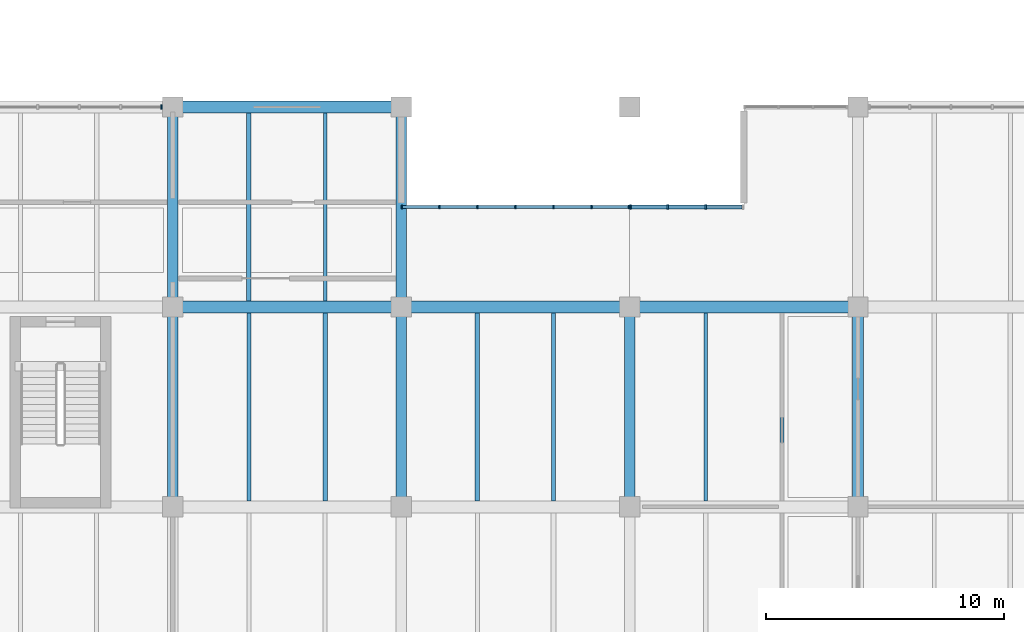
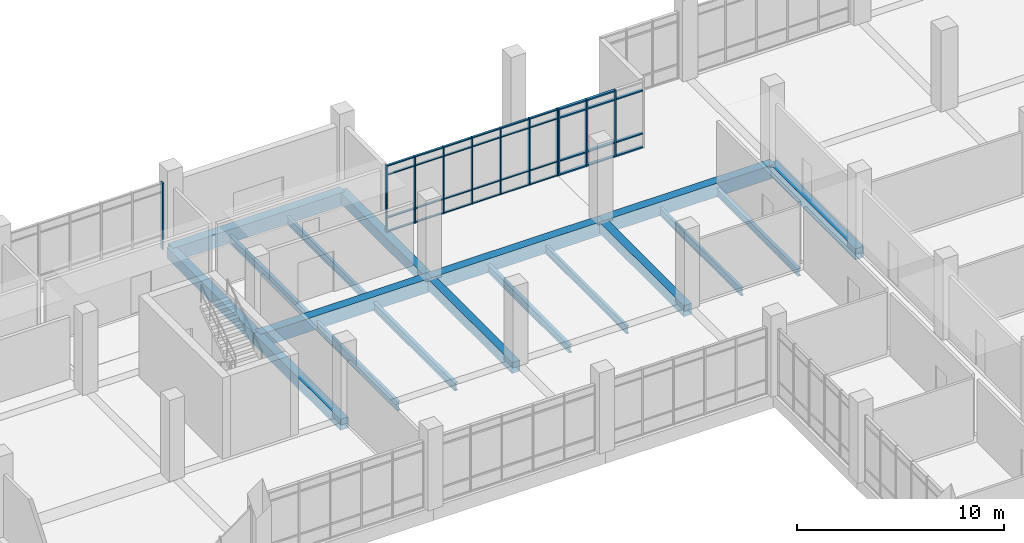
# One storey, part 40 of 152: 46 members, 18 beams, 3 elements without a shape of their own.
"""IFC4 building model written with IfcOpenShell, lengths in metres."""

from ifc_helpers import new_model, si_unit, direction, frame, origin, origin_2d, place, context, subcontext, project, spatial, rectangle, i_section, extrude, material, material_profile, profile_set, type_object, element, aggregate, save


model = new_model("IFC4")

# Units and contexts
model_context = context("Model", 3, precision=1e-05, world=origin(), true_north=direction((0.0, 1.0)))
body_context = subcontext(model_context, "Body", "Model", "MODEL_VIEW")
ifc_project = project(units=[si_unit("LENGTHUNIT", "METRE"), si_unit("AREAUNIT", "SQUARE_METRE"), si_unit("VOLUMEUNIT", "CUBIC_METRE"), si_unit("PLANEANGLEUNIT", "RADIAN"), si_unit("MASSUNIT", "GRAM", prefix="KILO")], contexts=[model_context])

# Site, building, storey
site_placement = place(None, origin())
site = spatial("IfcSite", under=ifc_project, at=site_placement, CompositionType="ELEMENT")
building_placement = place(site_placement, origin())
building = spatial("IfcBuilding", under=site, at=building_placement, Name="Oolite Switchyard Hospital", CompositionType="ELEMENT")
storey_placement = place(building_placement, frame((0.0, 0.0, 5.10009765625)))
storey = spatial("IfcBuildingStorey", under=building, at=storey_placement, Name="L01", CompositionType="ELEMENT", Elevation=5.10009765625)

# Beams
ifc_material_1 = material(Name="Concrete C40/50", Category="concrete")
ifc_material_profile_1 = material_profile(ifc_material_1, rectangle(XDim=0.449951171875, YDim=0.64990234375, at=origin_2d()), Name="RCB450X650")
ifc_profile_set_1 = profile_set([ifc_material_profile_1], Name="Concrete C40/50")
beam_type_1 = type_object("IfcBeamType", Name="BM-RC450X650", PredefinedType="BEAM", material=ifc_profile_set_1)
beam_1_placement = place(storey_placement, frame((96.0, 92.39990234375, -0.3251953125), z_axis=(0.0, 1.0, 0.0), x_axis=(-1.0, 0.0, 0.0)))
element("IfcBeam", 1, at=beam_1_placement, inside=storey, type_object=beam_type_1, Name="L01 Y-Girder 419", PredefinedType="BEAM", context=body_context, shape_type="SweptSolid", body=[
    extrude(rectangle(XDim=0.449951171875, YDim=0.64990234375, at=origin_2d()), origin(), (0.0, 0.0, 1.0), 8.400146484375),
])
beam_2_placement = place(storey_placement, frame((96.0, 100.800048828125, -0.3251953125), z_axis=(0.0, 1.0, 0.0), x_axis=(-1.0, 0.0, 0.0)))
element("IfcBeam", 2, at=beam_2_placement, inside=storey, type_object=beam_type_1, Name="L01 Y-Girder 420", PredefinedType="BEAM", context=body_context, shape_type="SweptSolid", body=[
    extrude(rectangle(XDim=0.449951171875, YDim=0.64990234375, at=origin_2d()), origin(), (0.0, 0.0, 1.0), 8.39990234375),
])
beam_3_placement = place(storey_placement, frame((105.60009765625, 92.39990234375, -0.3251953125), z_axis=(0.0, 1.0, 0.0), x_axis=(-1.0, 0.0, 0.0)))
element("IfcBeam", 3, at=beam_3_placement, inside=storey, type_object=beam_type_1, Name="L01 Y-Girder 423", PredefinedType="BEAM", context=body_context, shape_type="SweptSolid", body=[
    extrude(rectangle(XDim=0.449951171875, YDim=0.64990234375, at=origin_2d()), origin(), (0.0, 0.0, 1.0), 8.400146484375),
])
beam_4_placement = place(storey_placement, frame((105.60009765625, 100.800048828125, -0.3251953125), z_axis=(0.0, 1.0, 0.0), x_axis=(-1.0, 0.0, 0.0)))
element("IfcBeam", 4, at=beam_4_placement, inside=storey, type_object=beam_type_1, Name="L01 Y-Girder 424", PredefinedType="BEAM", context=body_context, shape_type="SweptSolid", body=[
    extrude(rectangle(XDim=0.449951171875, YDim=0.64990234375, at=origin_2d()), origin(), (0.0, 0.0, 1.0), 8.39990234375),
])
for number, where, z_axis, x_axis, name in (
    (5, (115.199951171875, 92.39990234375, -0.3251953125), (0.0, 1.0, 0.0), (-1.0, 0.0, 0.0), "L01 Y-Girder 433"),
    (6, (124.800048828125, 92.39990234375, -0.3251953125), (0.0, 1.0, 0.0), (-1.0, 0.0, 0.0), "L01 Y-Girder 442"),
):
    element("IfcBeam", number, at=place(storey_placement, frame(where, z_axis=z_axis, x_axis=x_axis)), inside=storey, type_object=beam_type_1, Name=name, PredefinedType="BEAM", context=body_context, shape_type="SweptSolid", body=[
        extrude(rectangle(XDim=0.449951171875, YDim=0.64990234375, at=origin_2d()), origin(), (0.0, 0.0, 1.0), 8.400146484375),
    ])
ifc_material_profile_2 = material_profile(ifc_material_1, rectangle(XDim=0.5, YDim=0.800048828125, at=origin_2d()), Name="RCB500X800")
ifc_profile_set_2 = profile_set([ifc_material_profile_2], Name="Concrete C40/50")
beam_type_2 = type_object("IfcBeamType", Name="BM-RC500X800", PredefinedType="BEAM", material=ifc_profile_set_2)
beam_5_placement = place(storey_placement, frame((96.0, 100.800048828125, -0.400146484375), z_axis=(1.0, 0.0, 0.0), x_axis=(0.0, 1.0, 0.0)))
element("IfcBeam", 7, at=beam_5_placement, inside=storey, type_object=beam_type_2, Name="L01 X-Girder 207", PredefinedType="BEAM", context=body_context, shape_type="SweptSolid", body=[
    extrude(rectangle(XDim=0.5, YDim=0.800048828125, at=origin_2d()), origin(), (0.0, 0.0, 1.0), 9.60009765625),
])
beam_6_placement = place(storey_placement, frame((105.60009765625, 100.800048828125, -0.400146484375), z_axis=(1.0, 0.0, 0.0), x_axis=(0.0, 1.0, 0.0)))
element("IfcBeam", 8, at=beam_6_placement, inside=storey, type_object=beam_type_2, Name="L01 X-Girder 208", PredefinedType="BEAM", context=body_context, shape_type="SweptSolid", body=[
    extrude(rectangle(XDim=0.5, YDim=0.800048828125, at=origin_2d()), origin(), (0.0, 0.0, 1.0), 9.599853515625),
])
for number, where, z_axis, x_axis, name in (
    (9, (115.199951171875, 100.800048828125, -0.400146484375), (1.0, 0.0, 0.0), (0.0, 1.0, 0.0), "L01 X-Girder 209"),
    (10, (96.0, 109.199951171875, -0.400146484375), (1.0, 0.0, 0.0), (0.0, 1.0, 0.0), "L01 X-Girder 229"),
):
    element("IfcBeam", number, at=place(storey_placement, frame(where, z_axis=z_axis, x_axis=x_axis)), inside=storey, type_object=beam_type_2, Name=name, PredefinedType="BEAM", context=body_context, shape_type="SweptSolid", body=[
        extrude(rectangle(XDim=0.5, YDim=0.800048828125, at=origin_2d()), origin(), (0.0, 0.0, 1.0), 9.60009765625),
    ])
ifc_material_2 = material(Name="Steel ASTM A992 Grade 50", Category="steel")
ifc_material_profile_3 = material_profile(ifc_material_2, i_section(OverallWidth=0.179931640625, OverallDepth=0.4130859375, WebThickness=0.010009765625, FlangeThickness=0.01611328125, at=origin_2d()), Name="W16X50")
ifc_profile_set_3 = profile_set([ifc_material_profile_3], Name="Steel ASTM A992 Grade 50")
beam_type_3 = type_object("IfcBeamType", Name="BM-W16X50", PredefinedType="JOIST", material=ifc_profile_set_3)
beam_7_placement = place(storey_placement, frame((121.60009765625, 92.64990234375, -0.506103515625), z_axis=(0.0, 1.0, 0.0), x_axis=(-1.0, 0.0, 0.0)))
element("IfcBeam", 11, at=beam_7_placement, inside=storey, type_object=beam_type_3, Name="L01 Secondary Steel Joist 805", PredefinedType="JOIST", context=body_context, shape_type="SweptSolid", body=[
    extrude(i_section(OverallWidth=0.179931640625, OverallDepth=0.4130859375, WebThickness=0.010009765625, FlangeThickness=0.01611328125, at=origin_2d()), origin(), (0.0, 0.0, 1.0), 7.900146484375),
])
ifc_material_profile_4 = material_profile(ifc_material_2, i_section(OverallWidth=0.153076171875, OverallDepth=0.455078125, WebThickness=0.008056640625, FlangeThickness=0.012939453125, at=origin_2d()), Name="W18X40")
ifc_profile_set_4 = profile_set([ifc_material_profile_4], Name="Steel ASTM A992 Grade 50")
beam_type_4 = type_object("IfcBeamType", Name="BM-W18X40", PredefinedType="JOIST", material=ifc_profile_set_4)
beam_8_placement = place(storey_placement, frame((102.39990234375, 101.050048828125, -0.528076171875), z_axis=(0.0, 1.0, 0.0), x_axis=(-1.0, 0.0, 0.0)))
element("IfcBeam", 12, at=beam_8_placement, inside=storey, type_object=beam_type_4, Name="L01 Secondary Steel Joist 781", PredefinedType="JOIST", context=body_context, shape_type="SweptSolid", body=[
    extrude(i_section(OverallWidth=0.153076171875, OverallDepth=0.455078125, WebThickness=0.008056640625, FlangeThickness=0.012939453125, at=origin_2d()), origin(), (0.0, 0.0, 1.0), 7.89990234375),
])
for number, where, z_axis, x_axis, name in (
    (13, (112.0, 92.64990234375, -0.528076171875), (0.0, 1.0, 0.0), (-1.0, 0.0, 0.0), "L01 Secondary Steel Joist 787"),
    (14, (118.39990234375, 92.64990234375, -0.528076171875), (0.0, 1.0, 0.0), (-1.0, 0.0, 0.0), "L01 Secondary Steel Joist 804"),
):
    element("IfcBeam", number, at=place(storey_placement, frame(where, z_axis=z_axis, x_axis=x_axis)), inside=storey, type_object=beam_type_4, Name=name, PredefinedType="JOIST", context=body_context, shape_type="SweptSolid", body=[
        extrude(i_section(OverallWidth=0.153076171875, OverallDepth=0.455078125, WebThickness=0.008056640625, FlangeThickness=0.012939453125, at=origin_2d()), origin(), (0.0, 0.0, 1.0), 7.900146484375),
    ])
ifc_material_profile_5 = material_profile(ifc_material_2, i_section(OverallWidth=0.19091796875, OverallDepth=0.4599609375, WebThickness=0.010009765625, FlangeThickness=0.01611328125, at=origin_2d()), Name="W18X55")
ifc_profile_set_5 = profile_set([ifc_material_profile_5], Name="Steel ASTM A992 Grade 50")
beam_type_5 = type_object("IfcBeamType", Name="BM-W18X55", PredefinedType="JOIST", material=ifc_profile_set_5)
beam_9_placement = place(storey_placement, frame((102.39990234375, 92.64990234375, -0.530029296875), z_axis=(0.0, 1.0, 0.0), x_axis=(-1.0, 0.0, 0.0)))
element("IfcBeam", 15, at=beam_9_placement, inside=storey, type_object=beam_type_5, Name="L01 Secondary Steel Joist 779", PredefinedType="JOIST", context=body_context, shape_type="SweptSolid", body=[
    extrude(i_section(OverallWidth=0.19091796875, OverallDepth=0.4599609375, WebThickness=0.010009765625, FlangeThickness=0.01611328125, at=origin_2d()), origin(), (0.0, 0.0, 1.0), 7.900146484375),
])
beam_10_placement = place(storey_placement, frame((99.199951171875, 101.050048828125, -0.530029296875), z_axis=(0.0, 1.0, 0.0), x_axis=(-1.0, 0.0, 0.0)))
element("IfcBeam", 16, at=beam_10_placement, inside=storey, type_object=beam_type_5, Name="L01 Secondary Steel Joist 780", PredefinedType="JOIST", context=body_context, shape_type="SweptSolid", body=[
    extrude(i_section(OverallWidth=0.19091796875, OverallDepth=0.4599609375, WebThickness=0.010009765625, FlangeThickness=0.01611328125, at=origin_2d()), origin(), (0.0, 0.0, 1.0), 7.89990234375),
])
beam_11_placement = place(storey_placement, frame((108.800048828125, 92.64990234375, -0.530029296875), z_axis=(0.0, 1.0, 0.0), x_axis=(-1.0, 0.0, 0.0)))
element("IfcBeam", 17, at=beam_11_placement, inside=storey, type_object=beam_type_5, Name="L01 Secondary Steel Joist 786", PredefinedType="JOIST", context=body_context, shape_type="SweptSolid", body=[
    extrude(i_section(OverallWidth=0.19091796875, OverallDepth=0.4599609375, WebThickness=0.010009765625, FlangeThickness=0.01611328125, at=origin_2d()), origin(), (0.0, 0.0, 1.0), 7.900146484375),
])
ifc_material_profile_6 = material_profile(ifc_material_2, i_section(OverallWidth=0.166015625, OverallDepth=0.529052734375, WebThickness=0.010009765625, FlangeThickness=0.013916015625, at=origin_2d()), Name="W21X50")
ifc_profile_set_6 = profile_set([ifc_material_profile_6], Name="Steel ASTM A992 Grade 50")
beam_type_6 = type_object("IfcBeamType", Name="BM-W21X50", PredefinedType="JOIST", material=ifc_profile_set_6)
beam_12_placement = place(storey_placement, frame((99.199951171875, 92.64990234375, -0.564208984375), z_axis=(0.0, 1.0, 0.0), x_axis=(-1.0, 0.0, 0.0)))
element("IfcBeam", 18, at=beam_12_placement, inside=storey, type_object=beam_type_6, Name="L01 Secondary Steel Joist 778", PredefinedType="JOIST", context=body_context, shape_type="SweptSolid", body=[
    extrude(i_section(OverallWidth=0.166015625, OverallDepth=0.529052734375, WebThickness=0.010009765625, FlangeThickness=0.013916015625, at=origin_2d()), origin(), (0.0, 0.0, 1.0), 7.900146484375),
])

# Curtain wall, members
ifc_material_3 = material(Name="Thermally broken aluminum frame with laminated impact glazing", Category="aluminium")
curtain_wall_type_1 = type_object("IfcCurtainWallType", Name="CW-UNIT-96X48", PredefinedType="USERDEFINED", material=ifc_material_3)
curtain_wall_1_placement = place(storey_placement, origin())
curtain_wall_1 = element("IfcCurtainWall", 19, at=curtain_wall_1_placement, inside=storey, type_object=curtain_wall_type_1, Name="L01 Unitised Curtain Wall 146", ObjectType="UNITISED", PredefinedType="USERDEFINED")
ifc_material_4 = material(Name="Aluminium 6063-T6", Category="aluminium")
ifc_material_profile_7 = material_profile(ifc_material_4, rectangle(XDim=0.159912109375, YDim=0.06005859375, at=origin_2d()), Name="CWM60X160")
ifc_profile_set_7 = profile_set([ifc_material_profile_7], Name="Aluminium 6063-T6")
member_type_1 = type_object("IfcMemberType", Name="CW-MUL-180", PredefinedType="MULLION", material=ifc_profile_set_7)
member_1_placement = place(storey_placement, frame((105.6298828125, 105.0, 0.0), z_axis=(0.0, 0.0, 1.0), x_axis=(0.0, 1.0, 0.0)))
member_1 = element("IfcMember", 20, at=member_1_placement, type_object=member_type_1, Name="CW-02 mullion 1", PredefinedType="MULLION", context=body_context, shape_type="SweptSolid", body=[
    extrude(rectangle(XDim=0.159912109375, YDim=0.06005859375, at=origin_2d()), origin(), (0.0, 0.0, 1.0), 3.93994140625),
])
member_2_placement = place(storey_placement, frame((107.199951171875, 105.0, 0.0), z_axis=(0.0, 0.0, 1.0), x_axis=(0.0, 1.0, 0.0)))
member_2 = element("IfcMember", 21, at=member_2_placement, type_object=member_type_1, Name="CW-02 mullion 2", PredefinedType="MULLION", context=body_context, shape_type="SweptSolid", body=[
    extrude(rectangle(XDim=0.159912109375, YDim=0.06005859375, at=origin_2d()), origin(), (0.0, 0.0, 1.0), 3.93994140625),
])
member_3_placement = place(storey_placement, frame((108.800048828125, 105.0, 0.0), z_axis=(0.0, 0.0, 1.0), x_axis=(0.0, 1.0, 0.0)))
member_3 = element("IfcMember", 22, at=member_3_placement, type_object=member_type_1, Name="CW-02 mullion 3", PredefinedType="MULLION", context=body_context, shape_type="SweptSolid", body=[
    extrude(rectangle(XDim=0.159912109375, YDim=0.06005859375, at=origin_2d()), origin(), (0.0, 0.0, 1.0), 3.93994140625),
])
member_4_placement = place(storey_placement, frame((110.39990234375, 105.0, 0.0), z_axis=(0.0, 0.0, 1.0), x_axis=(0.0, 1.0, 0.0)))
member_4 = element("IfcMember", 23, at=member_4_placement, type_object=member_type_1, Name="CW-02 mullion 4", PredefinedType="MULLION", context=body_context, shape_type="SweptSolid", body=[
    extrude(rectangle(XDim=0.159912109375, YDim=0.06005859375, at=origin_2d()), origin(), (0.0, 0.0, 1.0), 3.93994140625),
])
member_5_placement = place(storey_placement, frame((112.0, 105.0, 0.0), z_axis=(0.0, 0.0, 1.0), x_axis=(0.0, 1.0, 0.0)))
member_5 = element("IfcMember", 24, at=member_5_placement, type_object=member_type_1, Name="CW-02 mullion 5", PredefinedType="MULLION", context=body_context, shape_type="SweptSolid", body=[
    extrude(rectangle(XDim=0.159912109375, YDim=0.06005859375, at=origin_2d()), origin(), (0.0, 0.0, 1.0), 3.93994140625),
])
member_6_placement = place(storey_placement, frame((113.60009765625, 105.0, 0.0), z_axis=(0.0, 0.0, 1.0), x_axis=(0.0, 1.0, 0.0)))
member_6 = element("IfcMember", 25, at=member_6_placement, type_object=member_type_1, Name="CW-02 mullion 6", PredefinedType="MULLION", context=body_context, shape_type="SweptSolid", body=[
    extrude(rectangle(XDim=0.159912109375, YDim=0.06005859375, at=origin_2d()), origin(), (0.0, 0.0, 1.0), 3.93994140625),
])
member_7_placement = place(storey_placement, frame((115.169921875, 105.0, 0.0), z_axis=(0.0, 0.0, 1.0), x_axis=(0.0, 1.0, 0.0)))
member_7 = element("IfcMember", 26, at=member_7_placement, type_object=member_type_1, Name="CW-02 mullion 7", PredefinedType="MULLION", context=body_context, shape_type="SweptSolid", body=[
    extrude(rectangle(XDim=0.159912109375, YDim=0.06005859375, at=origin_2d()), origin(), (0.0, 0.0, 1.0), 3.93994140625),
])

curtain_wall_type_2 = type_object("IfcCurtainWallType", Name="CW-UNIT-84X48", PredefinedType="USERDEFINED", material=ifc_material_3)
curtain_wall_2_placement = place(storey_placement, origin())
curtain_wall_2 = element("IfcCurtainWall", 27, at=curtain_wall_2_placement, inside=storey, type_object=curtain_wall_type_2, Name="L01 Unitised Curtain Wall 147", ObjectType="UNITISED", PredefinedType="USERDEFINED")
ifc_material_profile_8 = material_profile(ifc_material_4, rectangle(XDim=0.179931640625, YDim=0.070068359375, at=origin_2d()), Name="CWM70X180")
ifc_profile_set_8 = profile_set([ifc_material_profile_8], Name="Aluminium 6063-T6")
member_type_2 = type_object("IfcMemberType", Name="CW-MUL-220", PredefinedType="MULLION", material=ifc_profile_set_8)
member_8_placement = place(storey_placement, frame((115.235107421875, 105.0, 0.0), z_axis=(0.0, 0.0, 1.0), x_axis=(0.0, 1.0, 0.0)))
member_8 = element("IfcMember", 28, at=member_8_placement, type_object=member_type_2, Name="CW-07 mullion 1", PredefinedType="MULLION", context=body_context, shape_type="SweptSolid", body=[
    extrude(rectangle(XDim=0.179931640625, YDim=0.070068359375, at=origin_2d()), origin(), (0.0, 0.0, 1.0), 3.93994140625),
])
member_9_placement = place(storey_placement, frame((116.800048828125, 105.0, 0.0), z_axis=(0.0, 0.0, 1.0), x_axis=(0.0, 1.0, 0.0)))
member_9 = element("IfcMember", 29, at=member_9_placement, type_object=member_type_2, Name="CW-07 mullion 2", PredefinedType="MULLION", context=body_context, shape_type="SweptSolid", body=[
    extrude(rectangle(XDim=0.179931640625, YDim=0.070068359375, at=origin_2d()), origin(), (0.0, 0.0, 1.0), 3.93994140625),
])
member_10_placement = place(storey_placement, frame((118.39990234375, 105.0, 0.0), z_axis=(0.0, 0.0, 1.0), x_axis=(0.0, 1.0, 0.0)))
member_10 = element("IfcMember", 30, at=member_10_placement, type_object=member_type_2, Name="CW-07 mullion 3", PredefinedType="MULLION", context=body_context, shape_type="SweptSolid", body=[
    extrude(rectangle(XDim=0.179931640625, YDim=0.070068359375, at=origin_2d()), origin(), (0.0, 0.0, 1.0), 3.93994140625),
])

# Curtain wall, member
curtain_wall_3_placement = place(storey_placement, origin())
curtain_wall_3 = element("IfcCurtainWall", 31, at=curtain_wall_3_placement, inside=storey, type_object=curtain_wall_type_1, Name="L01 Unitised Curtain Wall 148", ObjectType="UNITISED", PredefinedType="USERDEFINED")
ifc_material_profile_9 = material_profile(ifc_material_4, rectangle(XDim=0.199951171875, YDim=0.074951171875, at=origin_2d()), Name="CWM75X200")
ifc_profile_set_9 = profile_set([ifc_material_profile_9], Name="Aluminium 6063-T6")
member_type_3 = type_object("IfcMemberType", Name="CW-MUL-260", PredefinedType="MULLION", material=ifc_profile_set_9)
member_11_placement = place(storey_placement, frame((95.5224609375, 109.199951171875, 0.0), z_axis=(0.0, 0.0, 1.0), x_axis=(0.0, 1.0, 0.0)))
member_11 = element("IfcMember", 32, at=member_11_placement, type_object=member_type_3, Name="CW-02 mullion 6", PredefinedType="MULLION", context=body_context, shape_type="SweptSolid", body=[
    extrude(rectangle(XDim=0.199951171875, YDim=0.074951171875, at=origin_2d()), origin(), (0.0, 0.0, 1.0), 3.93994140625),
])
aggregate(curtain_wall_3, [member_11])

# Member
ifc_material_profile_10 = material_profile(ifc_material_4, rectangle(XDim=0.1201171875, YDim=0.06005859375, at=origin_2d()), Name="CWT60X120")
ifc_profile_set_10 = profile_set([ifc_material_profile_10], Name="Aluminium 6063-T6")
member_type_4 = type_object("IfcMemberType", Name="CW-TRN-150", PredefinedType="USERDEFINED", material=ifc_profile_set_10)
member_12_placement = place(storey_placement, frame((105.659912109375, 105.0, 0.02978515625), z_axis=(1.0, 0.0, 0.0), x_axis=(0.0, 1.0, 0.0)))
member_12 = element("IfcMember", 33, at=member_12_placement, type_object=member_type_4, Name="CW-02 transom 1.1", ObjectType="TRANSOM", PredefinedType="USERDEFINED", context=body_context, shape_type="SweptSolid", body=[
    extrude(rectangle(XDim=0.1201171875, YDim=0.06005859375, at=origin_2d()), origin(), (0.0, 0.0, 1.0), 1.510009765625),
])

member_13_placement = place(storey_placement, frame((105.659912109375, 105.0, 0.849853515625), z_axis=(1.0, 0.0, 0.0), x_axis=(0.0, 1.0, 0.0)))
member_13 = element("IfcMember", 34, at=member_13_placement, type_object=member_type_4, Name="CW-02 transom 1.2", ObjectType="TRANSOM", PredefinedType="USERDEFINED", context=body_context, shape_type="SweptSolid", body=[
    extrude(rectangle(XDim=0.1201171875, YDim=0.06005859375, at=origin_2d()), origin(), (0.0, 0.0, 1.0), 1.510009765625),
])

member_14_placement = place(storey_placement, frame((105.659912109375, 105.0, 3.389892578125), z_axis=(1.0, 0.0, 0.0), x_axis=(0.0, 1.0, 0.0)))
member_14 = element("IfcMember", 35, at=member_14_placement, type_object=member_type_4, Name="CW-02 transom 1.3", ObjectType="TRANSOM", PredefinedType="USERDEFINED", context=body_context, shape_type="SweptSolid", body=[
    extrude(rectangle(XDim=0.1201171875, YDim=0.06005859375, at=origin_2d()), origin(), (0.0, 0.0, 1.0), 1.510009765625),
])

member_15_placement = place(storey_placement, frame((105.659912109375, 105.0, 3.909912109375), z_axis=(1.0, 0.0, 0.0), x_axis=(0.0, 1.0, 0.0)))
member_15 = element("IfcMember", 36, at=member_15_placement, type_object=member_type_4, Name="CW-02 transom 1.4", ObjectType="TRANSOM", PredefinedType="USERDEFINED", context=body_context, shape_type="SweptSolid", body=[
    extrude(rectangle(XDim=0.1201171875, YDim=0.06005859375, at=origin_2d()), origin(), (0.0, 0.0, 1.0), 1.510009765625),
])

member_16_placement = place(storey_placement, frame((107.22998046875, 105.0, 0.02978515625), z_axis=(1.0, 0.0, 0.0), x_axis=(0.0, 1.0, 0.0)))
member_16 = element("IfcMember", 37, at=member_16_placement, type_object=member_type_4, Name="CW-02 transom 2.1", ObjectType="TRANSOM", PredefinedType="USERDEFINED", context=body_context, shape_type="SweptSolid", body=[
    extrude(rectangle(XDim=0.1201171875, YDim=0.06005859375, at=origin_2d()), origin(), (0.0, 0.0, 1.0), 1.5400390625),
])

member_17_placement = place(storey_placement, frame((107.22998046875, 105.0, 0.849853515625), z_axis=(1.0, 0.0, 0.0), x_axis=(0.0, 1.0, 0.0)))
member_17 = element("IfcMember", 38, at=member_17_placement, type_object=member_type_4, Name="CW-02 transom 2.2", ObjectType="TRANSOM", PredefinedType="USERDEFINED", context=body_context, shape_type="SweptSolid", body=[
    extrude(rectangle(XDim=0.1201171875, YDim=0.06005859375, at=origin_2d()), origin(), (0.0, 0.0, 1.0), 1.5400390625),
])

member_18_placement = place(storey_placement, frame((107.22998046875, 105.0, 3.389892578125), z_axis=(1.0, 0.0, 0.0), x_axis=(0.0, 1.0, 0.0)))
member_18 = element("IfcMember", 39, at=member_18_placement, type_object=member_type_4, Name="CW-02 transom 2.3", ObjectType="TRANSOM", PredefinedType="USERDEFINED", context=body_context, shape_type="SweptSolid", body=[
    extrude(rectangle(XDim=0.1201171875, YDim=0.06005859375, at=origin_2d()), origin(), (0.0, 0.0, 1.0), 1.5400390625),
])

member_19_placement = place(storey_placement, frame((107.22998046875, 105.0, 3.909912109375), z_axis=(1.0, 0.0, 0.0), x_axis=(0.0, 1.0, 0.0)))
member_19 = element("IfcMember", 40, at=member_19_placement, type_object=member_type_4, Name="CW-02 transom 2.4", ObjectType="TRANSOM", PredefinedType="USERDEFINED", context=body_context, shape_type="SweptSolid", body=[
    extrude(rectangle(XDim=0.1201171875, YDim=0.06005859375, at=origin_2d()), origin(), (0.0, 0.0, 1.0), 1.5400390625),
])

member_20_placement = place(storey_placement, frame((108.830078125, 105.0, 0.02978515625), z_axis=(1.0, 0.0, 0.0), x_axis=(0.0, 1.0, 0.0)))
member_20 = element("IfcMember", 41, at=member_20_placement, type_object=member_type_4, Name="CW-02 transom 3.1", ObjectType="TRANSOM", PredefinedType="USERDEFINED", context=body_context, shape_type="SweptSolid", body=[
    extrude(rectangle(XDim=0.1201171875, YDim=0.06005859375, at=origin_2d()), origin(), (0.0, 0.0, 1.0), 1.5400390625),
])

member_21_placement = place(storey_placement, frame((108.830078125, 105.0, 0.849853515625), z_axis=(1.0, 0.0, 0.0), x_axis=(0.0, 1.0, 0.0)))
member_21 = element("IfcMember", 42, at=member_21_placement, type_object=member_type_4, Name="CW-02 transom 3.2", ObjectType="TRANSOM", PredefinedType="USERDEFINED", context=body_context, shape_type="SweptSolid", body=[
    extrude(rectangle(XDim=0.1201171875, YDim=0.06005859375, at=origin_2d()), origin(), (0.0, 0.0, 1.0), 1.5400390625),
])

member_22_placement = place(storey_placement, frame((108.830078125, 105.0, 3.389892578125), z_axis=(1.0, 0.0, 0.0), x_axis=(0.0, 1.0, 0.0)))
member_22 = element("IfcMember", 43, at=member_22_placement, type_object=member_type_4, Name="CW-02 transom 3.3", ObjectType="TRANSOM", PredefinedType="USERDEFINED", context=body_context, shape_type="SweptSolid", body=[
    extrude(rectangle(XDim=0.1201171875, YDim=0.06005859375, at=origin_2d()), origin(), (0.0, 0.0, 1.0), 1.5400390625),
])

member_23_placement = place(storey_placement, frame((108.830078125, 105.0, 3.909912109375), z_axis=(1.0, 0.0, 0.0), x_axis=(0.0, 1.0, 0.0)))
member_23 = element("IfcMember", 44, at=member_23_placement, type_object=member_type_4, Name="CW-02 transom 3.4", ObjectType="TRANSOM", PredefinedType="USERDEFINED", context=body_context, shape_type="SweptSolid", body=[
    extrude(rectangle(XDim=0.1201171875, YDim=0.06005859375, at=origin_2d()), origin(), (0.0, 0.0, 1.0), 1.5400390625),
])

member_24_placement = place(storey_placement, frame((110.429931640625, 105.0, 0.02978515625), z_axis=(1.0, 0.0, 0.0), x_axis=(0.0, 1.0, 0.0)))
member_24 = element("IfcMember", 45, at=member_24_placement, type_object=member_type_4, Name="CW-02 transom 4.1", ObjectType="TRANSOM", PredefinedType="USERDEFINED", context=body_context, shape_type="SweptSolid", body=[
    extrude(rectangle(XDim=0.1201171875, YDim=0.06005859375, at=origin_2d()), origin(), (0.0, 0.0, 1.0), 1.5400390625),
])

member_25_placement = place(storey_placement, frame((110.429931640625, 105.0, 0.849853515625), z_axis=(1.0, 0.0, 0.0), x_axis=(0.0, 1.0, 0.0)))
member_25 = element("IfcMember", 46, at=member_25_placement, type_object=member_type_4, Name="CW-02 transom 4.2", ObjectType="TRANSOM", PredefinedType="USERDEFINED", context=body_context, shape_type="SweptSolid", body=[
    extrude(rectangle(XDim=0.1201171875, YDim=0.06005859375, at=origin_2d()), origin(), (0.0, 0.0, 1.0), 1.5400390625),
])

member_26_placement = place(storey_placement, frame((110.429931640625, 105.0, 3.389892578125), z_axis=(1.0, 0.0, 0.0), x_axis=(0.0, 1.0, 0.0)))
member_26 = element("IfcMember", 47, at=member_26_placement, type_object=member_type_4, Name="CW-02 transom 4.3", ObjectType="TRANSOM", PredefinedType="USERDEFINED", context=body_context, shape_type="SweptSolid", body=[
    extrude(rectangle(XDim=0.1201171875, YDim=0.06005859375, at=origin_2d()), origin(), (0.0, 0.0, 1.0), 1.5400390625),
])

member_27_placement = place(storey_placement, frame((110.429931640625, 105.0, 3.909912109375), z_axis=(1.0, 0.0, 0.0), x_axis=(0.0, 1.0, 0.0)))
member_27 = element("IfcMember", 48, at=member_27_placement, type_object=member_type_4, Name="CW-02 transom 4.4", ObjectType="TRANSOM", PredefinedType="USERDEFINED", context=body_context, shape_type="SweptSolid", body=[
    extrude(rectangle(XDim=0.1201171875, YDim=0.06005859375, at=origin_2d()), origin(), (0.0, 0.0, 1.0), 1.5400390625),
])

member_28_placement = place(storey_placement, frame((112.030029296875, 105.0, 0.02978515625), z_axis=(1.0, 0.0, 0.0), x_axis=(0.0, 1.0, 0.0)))
member_28 = element("IfcMember", 49, at=member_28_placement, type_object=member_type_4, Name="CW-02 transom 5.1", ObjectType="TRANSOM", PredefinedType="USERDEFINED", context=body_context, shape_type="SweptSolid", body=[
    extrude(rectangle(XDim=0.1201171875, YDim=0.06005859375, at=origin_2d()), origin(), (0.0, 0.0, 1.0), 1.5400390625),
])

member_29_placement = place(storey_placement, frame((112.030029296875, 105.0, 0.849853515625), z_axis=(1.0, 0.0, 0.0), x_axis=(0.0, 1.0, 0.0)))
member_29 = element("IfcMember", 50, at=member_29_placement, type_object=member_type_4, Name="CW-02 transom 5.2", ObjectType="TRANSOM", PredefinedType="USERDEFINED", context=body_context, shape_type="SweptSolid", body=[
    extrude(rectangle(XDim=0.1201171875, YDim=0.06005859375, at=origin_2d()), origin(), (0.0, 0.0, 1.0), 1.5400390625),
])

member_30_placement = place(storey_placement, frame((112.030029296875, 105.0, 3.389892578125), z_axis=(1.0, 0.0, 0.0), x_axis=(0.0, 1.0, 0.0)))
member_30 = element("IfcMember", 51, at=member_30_placement, type_object=member_type_4, Name="CW-02 transom 5.3", ObjectType="TRANSOM", PredefinedType="USERDEFINED", context=body_context, shape_type="SweptSolid", body=[
    extrude(rectangle(XDim=0.1201171875, YDim=0.06005859375, at=origin_2d()), origin(), (0.0, 0.0, 1.0), 1.5400390625),
])

member_31_placement = place(storey_placement, frame((112.030029296875, 105.0, 3.909912109375), z_axis=(1.0, 0.0, 0.0), x_axis=(0.0, 1.0, 0.0)))
member_31 = element("IfcMember", 52, at=member_31_placement, type_object=member_type_4, Name="CW-02 transom 5.4", ObjectType="TRANSOM", PredefinedType="USERDEFINED", context=body_context, shape_type="SweptSolid", body=[
    extrude(rectangle(XDim=0.1201171875, YDim=0.06005859375, at=origin_2d()), origin(), (0.0, 0.0, 1.0), 1.5400390625),
])

member_32_placement = place(storey_placement, frame((113.6298828125, 105.0, 0.02978515625), z_axis=(1.0, 0.0, 0.0), x_axis=(0.0, 1.0, 0.0)))
member_32 = element("IfcMember", 53, at=member_32_placement, type_object=member_type_4, Name="CW-02 transom 6.1", ObjectType="TRANSOM", PredefinedType="USERDEFINED", context=body_context, shape_type="SweptSolid", body=[
    extrude(rectangle(XDim=0.1201171875, YDim=0.06005859375, at=origin_2d()), origin(), (0.0, 0.0, 1.0), 1.510009765625),
])

member_33_placement = place(storey_placement, frame((113.6298828125, 105.0, 0.849853515625), z_axis=(1.0, 0.0, 0.0), x_axis=(0.0, 1.0, 0.0)))
member_33 = element("IfcMember", 54, at=member_33_placement, type_object=member_type_4, Name="CW-02 transom 6.2", ObjectType="TRANSOM", PredefinedType="USERDEFINED", context=body_context, shape_type="SweptSolid", body=[
    extrude(rectangle(XDim=0.1201171875, YDim=0.06005859375, at=origin_2d()), origin(), (0.0, 0.0, 1.0), 1.510009765625),
])

member_34_placement = place(storey_placement, frame((113.6298828125, 105.0, 3.389892578125), z_axis=(1.0, 0.0, 0.0), x_axis=(0.0, 1.0, 0.0)))
member_34 = element("IfcMember", 55, at=member_34_placement, type_object=member_type_4, Name="CW-02 transom 6.3", ObjectType="TRANSOM", PredefinedType="USERDEFINED", context=body_context, shape_type="SweptSolid", body=[
    extrude(rectangle(XDim=0.1201171875, YDim=0.06005859375, at=origin_2d()), origin(), (0.0, 0.0, 1.0), 1.510009765625),
])

member_35_placement = place(storey_placement, frame((113.6298828125, 105.0, 3.909912109375), z_axis=(1.0, 0.0, 0.0), x_axis=(0.0, 1.0, 0.0)))
member_35 = element("IfcMember", 56, at=member_35_placement, type_object=member_type_4, Name="CW-02 transom 6.4", ObjectType="TRANSOM", PredefinedType="USERDEFINED", context=body_context, shape_type="SweptSolid", body=[
    extrude(rectangle(XDim=0.1201171875, YDim=0.06005859375, at=origin_2d()), origin(), (0.0, 0.0, 1.0), 1.510009765625),
])

aggregate(curtain_wall_1, [member_1, member_2, member_3, member_4, member_5, member_6, member_7, member_12, member_13, member_14, member_15, member_16, member_17, member_18, member_19, member_20, member_21, member_22, member_23, member_24, member_25, member_26, member_27, member_28, member_29, member_30, member_31, member_32, member_33, member_34, member_35])

ifc_material_profile_11 = material_profile(ifc_material_4, rectangle(XDim=0.159912109375, YDim=0.074951171875, at=origin_2d()), Name="CWT75X160")
ifc_profile_set_11 = profile_set([ifc_material_profile_11], Name="Aluminium 6063-T6")
member_type_5 = type_object("IfcMemberType", Name="CW-TRN-180", PredefinedType="USERDEFINED", material=ifc_profile_set_11)
member_36_placement = place(storey_placement, frame((115.27001953125, 105.0, 0.037353515625), z_axis=(1.0, 0.0, 0.0), x_axis=(0.0, 1.0, 0.0)))
member_36 = element("IfcMember", 57, at=member_36_placement, type_object=member_type_5, Name="CW-07 transom 1.1", ObjectType="TRANSOM", PredefinedType="USERDEFINED", context=body_context, shape_type="SweptSolid", body=[
    extrude(rectangle(XDim=0.159912109375, YDim=0.074951171875, at=origin_2d()), origin(), (0.0, 0.0, 1.0), 1.494873046875),
])

member_37_placement = place(storey_placement, frame((115.27001953125, 105.0, 0.849853515625), z_axis=(1.0, 0.0, 0.0), x_axis=(0.0, 1.0, 0.0)))
member_37 = element("IfcMember", 58, at=member_37_placement, type_object=member_type_5, Name="CW-07 transom 1.2", ObjectType="TRANSOM", PredefinedType="USERDEFINED", context=body_context, shape_type="SweptSolid", body=[
    extrude(rectangle(XDim=0.159912109375, YDim=0.074951171875, at=origin_2d()), origin(), (0.0, 0.0, 1.0), 1.494873046875),
])

member_38_placement = place(storey_placement, frame((115.27001953125, 105.0, 3.389892578125), z_axis=(1.0, 0.0, 0.0), x_axis=(0.0, 1.0, 0.0)))
member_38 = element("IfcMember", 59, at=member_38_placement, type_object=member_type_5, Name="CW-07 transom 1.3", ObjectType="TRANSOM", PredefinedType="USERDEFINED", context=body_context, shape_type="SweptSolid", body=[
    extrude(rectangle(XDim=0.159912109375, YDim=0.074951171875, at=origin_2d()), origin(), (0.0, 0.0, 1.0), 1.494873046875),
])

member_39_placement = place(storey_placement, frame((115.27001953125, 105.0, 3.90234375), z_axis=(1.0, 0.0, 0.0), x_axis=(0.0, 1.0, 0.0)))
member_39 = element("IfcMember", 60, at=member_39_placement, type_object=member_type_5, Name="CW-07 transom 1.4", ObjectType="TRANSOM", PredefinedType="USERDEFINED", context=body_context, shape_type="SweptSolid", body=[
    extrude(rectangle(XDim=0.159912109375, YDim=0.074951171875, at=origin_2d()), origin(), (0.0, 0.0, 1.0), 1.494873046875),
])

member_40_placement = place(storey_placement, frame((116.8349609375, 105.0, 0.037353515625), z_axis=(1.0, 0.0, 0.0), x_axis=(0.0, 1.0, 0.0)))
member_40 = element("IfcMember", 61, at=member_40_placement, type_object=member_type_5, Name="CW-07 transom 2.1", ObjectType="TRANSOM", PredefinedType="USERDEFINED", context=body_context, shape_type="SweptSolid", body=[
    extrude(rectangle(XDim=0.159912109375, YDim=0.074951171875, at=origin_2d()), origin(), (0.0, 0.0, 1.0), 1.530029296875),
])

member_41_placement = place(storey_placement, frame((116.8349609375, 105.0, 0.849853515625), z_axis=(1.0, 0.0, 0.0), x_axis=(0.0, 1.0, 0.0)))
member_41 = element("IfcMember", 62, at=member_41_placement, type_object=member_type_5, Name="CW-07 transom 2.2", ObjectType="TRANSOM", PredefinedType="USERDEFINED", context=body_context, shape_type="SweptSolid", body=[
    extrude(rectangle(XDim=0.159912109375, YDim=0.074951171875, at=origin_2d()), origin(), (0.0, 0.0, 1.0), 1.530029296875),
])

member_42_placement = place(storey_placement, frame((116.8349609375, 105.0, 3.389892578125), z_axis=(1.0, 0.0, 0.0), x_axis=(0.0, 1.0, 0.0)))
member_42 = element("IfcMember", 63, at=member_42_placement, type_object=member_type_5, Name="CW-07 transom 2.3", ObjectType="TRANSOM", PredefinedType="USERDEFINED", context=body_context, shape_type="SweptSolid", body=[
    extrude(rectangle(XDim=0.159912109375, YDim=0.074951171875, at=origin_2d()), origin(), (0.0, 0.0, 1.0), 1.530029296875),
])

member_43_placement = place(storey_placement, frame((116.8349609375, 105.0, 3.90234375), z_axis=(1.0, 0.0, 0.0), x_axis=(0.0, 1.0, 0.0)))
member_43 = element("IfcMember", 64, at=member_43_placement, type_object=member_type_5, Name="CW-07 transom 2.4", ObjectType="TRANSOM", PredefinedType="USERDEFINED", context=body_context, shape_type="SweptSolid", body=[
    extrude(rectangle(XDim=0.159912109375, YDim=0.074951171875, at=origin_2d()), origin(), (0.0, 0.0, 1.0), 1.530029296875),
])

member_44_placement = place(storey_placement, frame((118.43505859375, 105.0, 0.037353515625), z_axis=(1.0, 0.0, 0.0), x_axis=(0.0, 1.0, 0.0)))
member_44 = element("IfcMember", 65, at=member_44_placement, type_object=member_type_5, Name="CW-07 transom 3.1", ObjectType="TRANSOM", PredefinedType="USERDEFINED", context=body_context, shape_type="SweptSolid", body=[
    extrude(rectangle(XDim=0.159912109375, YDim=0.074951171875, at=origin_2d()), origin(), (0.0, 0.0, 1.0), 1.494873046875),
])

member_45_placement = place(storey_placement, frame((118.43505859375, 105.0, 0.849853515625), z_axis=(1.0, 0.0, 0.0), x_axis=(0.0, 1.0, 0.0)))
member_45 = element("IfcMember", 66, at=member_45_placement, type_object=member_type_5, Name="CW-07 transom 3.2", ObjectType="TRANSOM", PredefinedType="USERDEFINED", context=body_context, shape_type="SweptSolid", body=[
    extrude(rectangle(XDim=0.159912109375, YDim=0.074951171875, at=origin_2d()), origin(), (0.0, 0.0, 1.0), 1.494873046875),
])

member_46_placement = place(storey_placement, frame((118.43505859375, 105.0, 3.389892578125), z_axis=(1.0, 0.0, 0.0), x_axis=(0.0, 1.0, 0.0)))
member_46 = element("IfcMember", 67, at=member_46_placement, type_object=member_type_5, Name="CW-07 transom 3.3", ObjectType="TRANSOM", PredefinedType="USERDEFINED", context=body_context, shape_type="SweptSolid", body=[
    extrude(rectangle(XDim=0.159912109375, YDim=0.074951171875, at=origin_2d()), origin(), (0.0, 0.0, 1.0), 1.494873046875),
])

aggregate(curtain_wall_2, [member_8, member_9, member_10, member_36, member_37, member_38, member_39, member_40, member_41, member_42, member_43, member_44, member_45, member_46])

save(model, "model.ifc")
